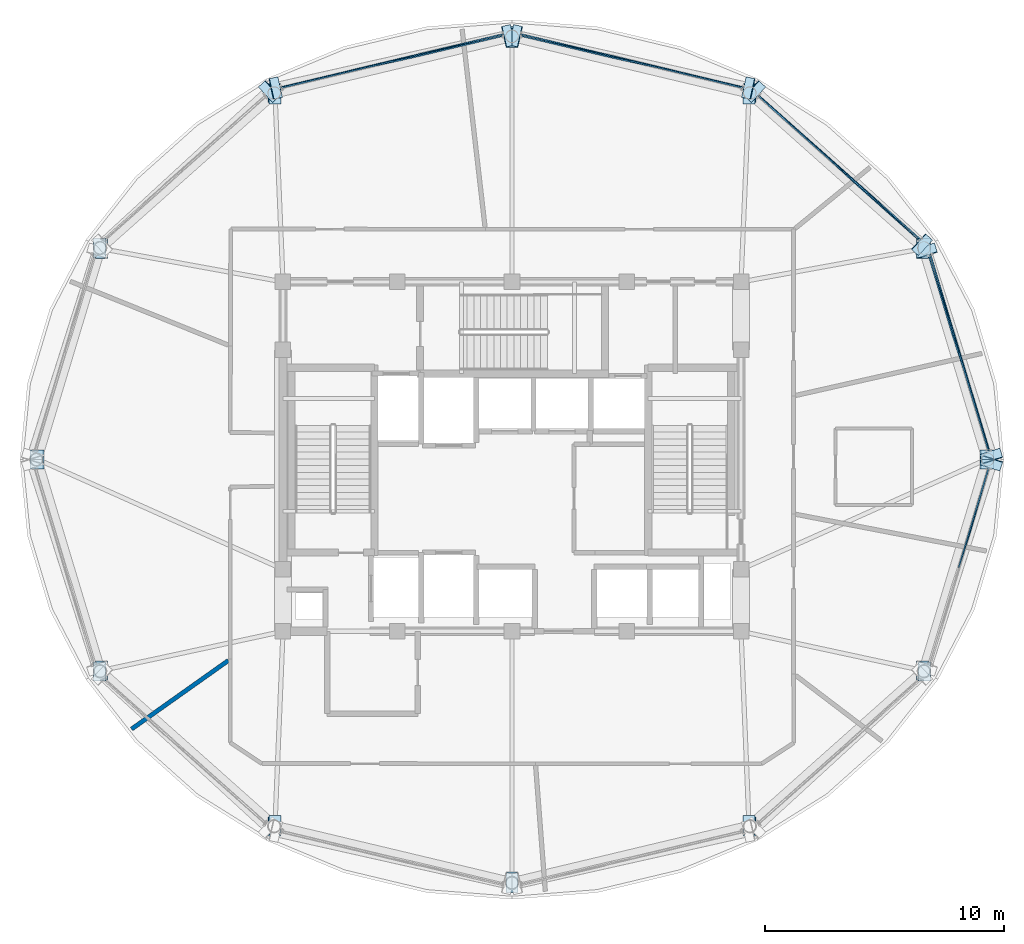
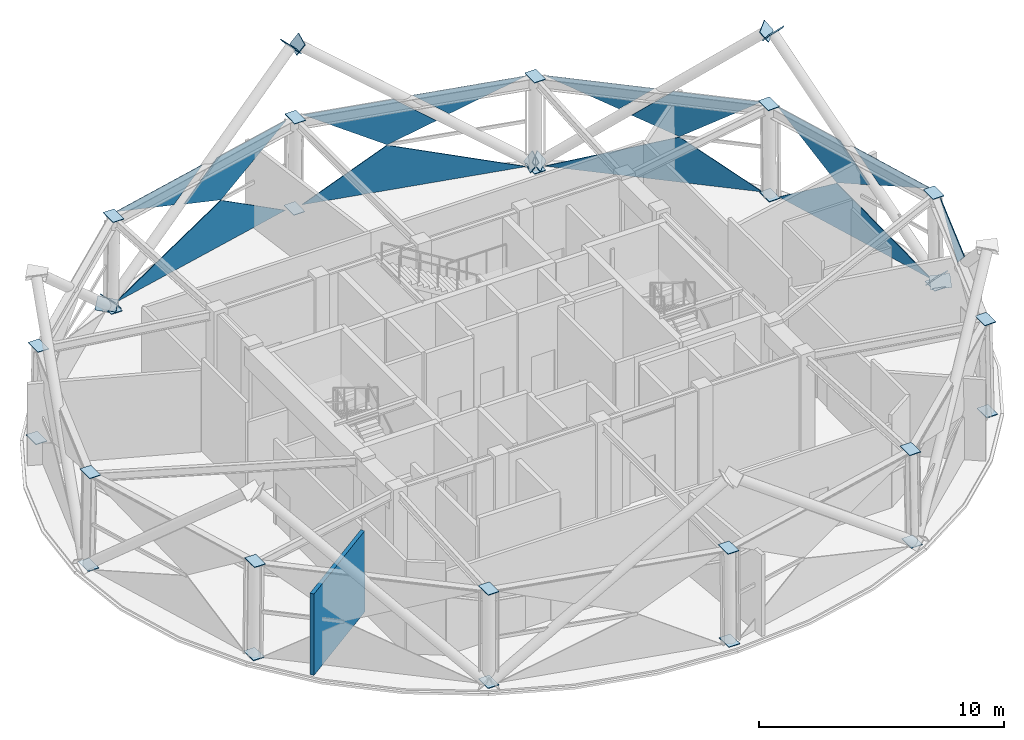
# One storey, part 7 of 14: 47 plates, 1 wall, 5 elements without a shape of their own.
"""IFC4 building model written with IfcOpenShell, lengths in metres."""

from ifc_helpers import new_model, si_unit, direction, frame, frame_2d, origin, place, context, subcontext, project, spatial, polyline, rectangle, outline, extrude, material, layer, layer_set, type_object, element, aggregate, save


model = new_model("IFC4")

# Units and contexts
model_context = context("Model", 3, precision=1e-05, world=origin(), true_north=direction((0.0, 1.0)))
body_context = subcontext(model_context, "Body", "Model", "MODEL_VIEW")
ifc_project = project(units=[si_unit("LENGTHUNIT", "METRE"), si_unit("AREAUNIT", "SQUARE_METRE"), si_unit("VOLUMEUNIT", "CUBIC_METRE"), si_unit("PLANEANGLEUNIT", "RADIAN"), si_unit("MASSUNIT", "GRAM", prefix="KILO")], contexts=[model_context])

# Site, building, storey
site_placement = place(None, origin())
site = spatial("IfcSite", under=ifc_project, at=site_placement, CompositionType="ELEMENT")
building_placement = place(site_placement, origin())
building = spatial("IfcBuilding", under=site, at=building_placement, Name="Vantalir Tower", CompositionType="ELEMENT")
storey_placement = place(building_placement, frame((0.0, 0.0, 259.050048828125)))
storey = spatial("IfcBuildingStorey", under=building, at=storey_placement, Name="L65", CompositionType="ELEMENT", Elevation=259.050048828125)

# Curtain wall, plates
ifc_material_1 = material(Name="Champagne-silver PVDF aluminium and double-silver Low-E glass", Category="aluminium")
ifc_layer_1 = layer(ifc_material_1, 0.22998046875)
ifc_layer_set_1 = layer_set([ifc_layer_1], Name="Champagne-silver PVDF aluminium and double-silver Low-E glass")
curtain_wall_type = type_object("IfcCurtainWallType", Name="CW-SKYLOBBY", PredefinedType="USERDEFINED", material=ifc_layer_set_1)
curtain_wall_1_placement = place(storey_placement, origin())
curtain_wall_1 = element("IfcCurtainWall", 1, at=curtain_wall_1_placement, inside=storey, type_object=curtain_wall_type, Name="L65 Quilted Pyramid-Diamond Curtain Wall S01", ObjectType="UNITISED CURTAIN WALL", PredefinedType="USERDEFINED")
ifc_material_2 = material(Name="High-clarity sky-lobby Low-E glass IGU", Category="glass")
ifc_layer_2 = layer(ifc_material_2, 0.035888671875)
ifc_layer_set_2 = layer_set([ifc_layer_2], Name="High-clarity sky-lobby Low-E glass IGU")
plate_type_1 = type_object("IfcPlateType", Name="CWP-IGU-LIGHT-36", PredefinedType="CURTAIN_PANEL", material=ifc_layer_set_2)
plate_1_placement = place(storey_placement, frame((51.5234375, 25.3876953125, 0.04736328125), z_axis=(0.957619347428, 0.28796425822, 0.006463081274), x_axis=(-0.287970625363, 0.95763924088, 5.7046479e-05)))
plate_1 = element("IfcPlate", 2, at=plate_1_placement, type_object=plate_type_1, Name="CW-L65-S01 Pyramid Diamond Facet 1L", PredefinedType="CURTAIN_PANEL", context=body_context, shape_type="SweptSolid", body=[
    extrude(outline(polyline([(0.0, 0.0), (8.559358257097664, 5.095750210681871e-18), (5.303938225160693, 2.2487678377621427), (0.0, 0.0)])), origin(), (0.0, 0.0, -1.0), 0.035888671875),
])
plate_2_placement = place(storey_placement, frame((49.9833984375, 30.2412109375, 4.572265625), z_axis=(0.95724843419, 0.287944547348, 0.027629203627), x_axis=(-0.288052609899, 0.957614582572, -7.194278e-05)))
plate_2 = element("IfcPlate", 3, at=plate_2_placement, type_object=plate_type_1, Name="CW-L65-S01 Pyramid Diamond Facet 2U", PredefinedType="CURTAIN_PANEL", context=body_context, shape_type="SweptSolid", body=[
    extrude(outline(polyline([(0.0, 0.0), (3.453460336960957, 7.860465750519907e-19), (0.21270395206741882, -2.24937858078949), (-1.654140182109328, -1.4542917888111961), (0.0, 0.0)])), origin(), (0.0, 0.0, -1.0), 0.035888671875),
])
plate_3_placement = place(storey_placement, frame((51.481689453125, 25.399169921875, 4.57373046875), z_axis=(0.957260632228, 0.287906831872, 0.027599604115), x_axis=(-0.2880150466, 0.95762588191, -5.6818908e-05)))
plate_3 = element("IfcPlate", 4, at=plate_3_placement, type_object=plate_type_1, Name="CW-L65-S01 Pyramid Diamond Facet 2U Infill Light", PredefinedType="CURTAIN_PANEL", context=body_context, shape_type="SweptSolid", body=[
    extrude(outline(polyline([(0.0, 0.0), (4.296820054136441, -4.6349642873755315e-18), (2.894408183389131, -1.2329712505829111), (0.0, 0.0)])), origin(), (0.0, 0.0, -1.0), 0.035888671875),
])
aggregate(curtain_wall_1, [plate_1, plate_2, plate_3])

curtain_wall_2_placement = place(storey_placement, origin())
curtain_wall_2 = element("IfcCurtainWall", 5, at=curtain_wall_2_placement, inside=storey, type_object=curtain_wall_type, Name="L65 Quilted Pyramid-Diamond Curtain Wall S02", ObjectType="UNITISED CURTAIN WALL", PredefinedType="USERDEFINED")
plate_4_placement = place(storey_placement, frame((48.639892578125, 34.2412109375, 0.047607421875), z_axis=(0.665209640255, 0.746634118545, 0.005798925432), x_axis=(-0.746646463699, 0.665221057502, -5.3870596e-05)))
plate_4 = element("IfcPlate", 6, at=plate_4_placement, type_object=plate_type_1, Name="CW-L65-S02 Pyramid Diamond Facet 1L", PredefinedType="CURTAIN_PANEL", context=body_context, shape_type="SweptSolid", body=[
    extrude(outline(polyline([(0.0, 0.0), (9.063965951806155, -3.903127820947816e-18), (3.449700283416027, 2.2490029520814323), (0.0, 0.0)])), origin(), (0.0, 0.0, -1.0), 0.035888671875),
])
plate_5_placement = place(storey_placement, frame((48.56982421875, 34.205322265625, 4.572265625), z_axis=(0.665038685009, 0.74633558686, 0.026584567482), x_axis=(-0.746600637264, 0.665272488526, 6.6688574e-05)))
plate_5 = element("IfcPlate", 7, at=plate_5_placement, type_object=plate_type_1, Name="CW-L65-S02 Pyramid Diamond Facet 2U", PredefinedType="CURTAIN_PANEL", context=body_context, shape_type="SweptSolid", body=[
    extrude(outline(polyline([(0.0, 0.0), (3.67091296956547, -1.9678269430611905e-17), (5.40729756169425, -1.4525341365943436), (3.421253069162723, -2.2498019452031675), (0.0, 0.0)])), origin(), (0.0, 0.0, -1.0), 0.035888671875),
])
plate_6_placement = place(storey_placement, frame((45.26220703125, 37.2060546875, 4.573486328125), z_axis=(0.665022021391, 0.746347339736, 0.026671324177), x_axis=(-0.74661389168, 0.665257614674, 5.3559103e-05)))
plate_6 = element("IfcPlate", 8, at=plate_6_placement, type_object=plate_type_1, Name="CW-L65-S02 Pyramid Diamond Facet 2U Infill Light", PredefinedType="CURTAIN_PANEL", context=body_context, shape_type="SweptSolid", body=[
    extrude(outline(polyline([(0.0, 0.0), (4.558340462755188, 1.826880660638075e-17), (1.4785731315412094, -1.2366030901460339), (0.0, 0.0)])), origin(), (0.0, 0.0, -1.0), 0.035888671875),
])
aggregate(curtain_wall_2, [plate_4, plate_5, plate_6])

curtain_wall_3_placement = place(storey_placement, origin())
curtain_wall_3 = element("IfcCurtainWall", 9, at=curtain_wall_3_placement, inside=storey, type_object=curtain_wall_type, Name="L65 Quilted Pyramid-Diamond Curtain Wall S03", ObjectType="UNITISED CURTAIN WALL", PredefinedType="USERDEFINED")
plate_7_placement = place(storey_placement, frame((41.17626953125, 40.634033203125, 0.047119140625), z_axis=(0.232208272783, 0.972654078748, 0.004833337066), x_axis=(-0.972665496256, 0.232210744313, 5.1164646e-05)))
plate_7 = element("IfcPlate", 10, at=plate_7_placement, type_object=plate_type_1, Name="CW-L65-S03 Pyramid Diamond Facet 1L", PredefinedType="CURTAIN_PANEL", context=body_context, shape_type="SweptSolid", body=[
    extrude(outline(polyline([(0.0, 0.0), (9.543332974029395, -3.7947076036992655e-19), (5.913377118243143, 2.2492354383627027), (0.0, 0.0)])), origin(), (0.0, 0.0, -1.0), 0.035888671875),
])
plate_8_placement = place(storey_placement, frame((35.662841796875, 41.87841796875, 4.572509765625), z_axis=(0.232072840092, 0.972350631356, 0.026008586904), x_axis=(-0.972679666256, 0.232151387786, -6.08885e-07)))
plate_8 = element("IfcPlate", 11, at=plate_8_placement, type_object=plate_type_1, Name="CW-L65-S03 Pyramid Diamond Facet 2U", PredefinedType="CURTAIN_PANEL", context=body_context, shape_type="SweptSolid", body=[
    extrude(outline(polyline([(0.0, 0.0), (3.8749283573383124, 6.938893903907228e-18), (0.2617034690342525, -2.250028559594019), (-1.8255058616383, -1.4523990860917348), (0.0, 0.0)])), origin(), (0.0, 0.0, -1.0), 0.035888671875),
])
plate_9_placement = place(storey_placement, frame((41.1455078125, 40.61083984375, 4.57373046875), z_axis=(0.232120970754, 0.97233967106, 0.025988824886), x_axis=(-0.972668205847, 0.232199399945, 0.0)))
plate_9 = element("IfcPlate", 12, at=plate_9_placement, type_object=plate_type_1, Name="CW-L65-S03 Pyramid Diamond Facet 2U Infill Light", PredefinedType="CURTAIN_PANEL", context=body_context, shape_type="SweptSolid", body=[
    extrude(outline(polyline([(0.0, 0.0), (4.808173829870431, 3.469446951953614e-18), (3.2483732604274036, -1.2411418724615468), (0.0, 0.0)])), origin(), (0.0, 0.0, -1.0), 0.035888671875),
])
aggregate(curtain_wall_3, [plate_7, plate_8, plate_9])

curtain_wall_4_placement = place(storey_placement, origin())
curtain_wall_4 = element("IfcCurtainWall", 13, at=curtain_wall_4_placement, inside=storey, type_object=curtain_wall_type, Name="L65 Quilted Pyramid-Diamond Curtain Wall S04", ObjectType="UNITISED CURTAIN WALL", PredefinedType="USERDEFINED")
plate_10_placement = place(storey_placement, frame((31.106201171875, 42.85009765625, 0.047607421875), z_axis=(-0.232208272783, 0.972654078748, 0.004833337066), x_axis=(-0.972665496256, -0.232210744313, -5.1164646e-05)))
plate_10 = element("IfcPlate", 14, at=plate_10_placement, type_object=plate_type_1, Name="CW-L65-S04 Pyramid Diamond Facet 1L", PredefinedType="CURTAIN_PANEL", context=body_context, shape_type="SweptSolid", body=[
    extrude(outline(polyline([(0.0, 0.0), (9.543332974029395, 3.7947076036992655e-19), (3.6299558557862515, 2.2492354383627022), (0.0, 0.0)])), origin(), (0.0, 0.0, -1.0), 0.035888671875),
])
plate_11_placement = place(storey_placement, frame((31.106201171875, 42.778076171875, 4.572509765625), z_axis=(-0.232072840092, 0.972350631356, 0.026008586904), x_axis=(-0.972679666256, -0.232151387786, 6.08885e-07)))
plate_11 = element("IfcPlate", 15, at=plate_11_placement, type_object=plate_type_1, Name="CW-L65-S04 Pyramid Diamond Facet 2U", PredefinedType="CURTAIN_PANEL", context=body_context, shape_type="SweptSolid", body=[
    extrude(outline(polyline([(0.0, 0.0), (3.8749283573383124, -6.938893903907228e-18), (5.700434218976612, -1.4523990860917348), (3.6132248883040603, -2.250028559594019), (0.0, 0.0)])), origin(), (0.0, 0.0, -1.0), 0.035888671875),
])
plate_12_placement = place(storey_placement, frame((26.53125, 41.727294921875, 4.57373046875), z_axis=(-0.232120970754, 0.97233967106, 0.025988824886), x_axis=(-0.972668205847, -0.232199399945, 0.0)))
plate_12 = element("IfcPlate", 16, at=plate_12_placement, type_object=plate_type_1, Name="CW-L65-S04 Pyramid Diamond Facet 2U Infill Light", PredefinedType="CURTAIN_PANEL", context=body_context, shape_type="SweptSolid", body=[
    extrude(outline(polyline([(0.0, 0.0), (4.808173829870431, -3.469446951953614e-18), (1.559800569443027, -1.2411418724615468), (0.0, 0.0)])), origin(), (0.0, 0.0, -1.0), 0.035888671875),
])
aggregate(curtain_wall_4, [plate_10, plate_11, plate_12])

# Curtain wall, plate
curtain_wall_5_placement = place(storey_placement, origin())
curtain_wall_5 = element("IfcCurtainWall", 17, at=curtain_wall_5_placement, inside=storey, type_object=curtain_wall_type, Name="L65 Quilted Pyramid-Diamond Curtain Wall S12", ObjectType="UNITISED CURTAIN WALL", PredefinedType="USERDEFINED")
plate_13_placement = place(storey_placement, frame((50.243896484375, 20.485595703125, 4.573486328125), z_axis=(0.95725153181, -0.287926730762, 0.027707445917), x_axis=(0.28803580704, 0.957619637766, 5.6811796e-05)))
plate_13 = element("IfcPlate", 18, at=plate_13_placement, type_object=plate_type_1, Name="CW-L65-S12 Pyramid Diamond Facet 2U Infill Light", PredefinedType="CURTAIN_PANEL", context=body_context, shape_type="SweptSolid", body=[
    extrude(outline(polyline([(0.0, 0.0), (4.297357962082427, 4.038653092508504e-18), (1.4027167320130423, -1.2329749377245482), (0.0, 0.0)])), origin(), (0.0, 0.0, -1.0), 0.035888671875),
])
aggregate(curtain_wall_5, [plate_13])

# Plates
ifc_material_3 = material(Name="Steel S460", Category="steel")
ifc_layer_3 = layer(ifc_material_3, 0.035888671875)
ifc_layer_set_3 = layer_set([ifc_layer_3], Name="Steel S460")
plate_type_2 = type_object("IfcPlateType", Name="PLT-KN-Z2", PredefinedType="USERDEFINED", material=ifc_layer_set_3)
plate_14_placement = place(storey_placement, frame((51.948974609375, 25.479248046875, 0.0126953125), z_axis=(-0.228148290052, 0.715593883274, 0.660207355281), x_axis=(-0.952743342445, -0.303776435871, 2.0894882e-05)))
element("IfcPlate", 19, at=plate_14_placement, inside=storey, type_object=plate_type_2, Name="Node Cap Plate MEM-DG-L65-R01L Start", ObjectType="FLANGE_PLATE", PredefinedType="USERDEFINED", context=body_context, shape_type="SweptSolid", body=[
    extrude(outline(polyline([(0.0, 0.0), (0.8799696863364834, 0.0), (0.8800608583720017, 0.5798670245278725), (-0.00014143131957086174, 0.5799159919081394), (0.0, 0.0)])), origin(), (0.0, 0.0, -1.0), 0.035888671875),
])
plate_15_placement = place(storey_placement, frame((49.207763671875, 34.07861328125, 7.9453125), z_axis=(-0.228224535934, 0.715728818629, 0.66003471074), x_axis=(-0.952736121309, -0.303799083528, 0.0)))
element("IfcPlate", 20, at=plate_15_placement, inside=storey, type_object=plate_type_2, Name="Node Cap Plate MEM-DG-L65-R01L End", ObjectType="FLANGE_PLATE", PredefinedType="USERDEFINED", context=body_context, shape_type="SweptSolid", body=[
    extrude(outline(polyline([(0.0, 0.0), (0.8799696867771974, 2.7755575615628914e-17), (0.8798282563391254, 0.5800993771966007), (-0.0001414304380720568, 0.5800993771966007), (0.0, 0.0)])), origin(), (0.0, 0.0, -1.0), 0.035888671875),
])
plate_16_placement = place(storey_placement, frame((51.110595703125, 24.7880859375, 0.0126953125), z_axis=(-0.228148290052, -0.715593883274, 0.660207355281), x_axis=(0.952743342445, -0.303776435871, -2.0894882e-05)))
element("IfcPlate", 21, at=plate_16_placement, inside=storey, type_object=plate_type_2, Name="Node Cap Plate MEM-DG-L65-R01R Start", ObjectType="FLANGE_PLATE", PredefinedType="USERDEFINED", context=body_context, shape_type="SweptSolid", body=[
    extrude(outline(polyline([(0.0, 0.0), (0.8799696863364834, 0.0), (0.8801111176560543, 0.5799159919081394), (-9.117203551817767e-05, 0.5798670245278725), (0.0, 0.0)])), origin(), (0.0, 0.0, -1.0), 0.035888671875),
])
plate_17_placement = place(storey_placement, frame((41.316162109375, 41.0478515625, -0.005126953125), z_axis=(-0.763539368306, 0.171508700871, 0.622569191795), x_axis=(-0.219162310828, -0.975688414153, 0.0)))
element("IfcPlate", 22, at=plate_17_placement, inside=storey, type_object=plate_type_2, Name="Node Cap Plate MEM-DG-L65-R07L Start", ObjectType="FLANGE_PLATE", PredefinedType="USERDEFINED", context=body_context, shape_type="SweptSolid", body=[
    extrude(outline(polyline([(0.0, 0.0), (0.8800376899732579, 1.3877787807814457e-17), (0.8800063988749334, 0.5799614880151464), (-3.129109832450405e-05, 0.5799614880151464), (0.0, 0.0)])), origin(), (0.0, 0.0, -1.0), 0.035888671875),
])
plate_18_placement = place(storey_placement, frame((31.56689453125, 43.237060546875, 7.943359375), z_axis=(-0.76369848389, 0.171544441932, 0.622364145935), x_axis=(-0.219162310828, -0.975688414153, 0.0)))
element("IfcPlate", 23, at=plate_18_placement, inside=storey, type_object=plate_type_2, Name="Node Cap Plate MEM-DG-L65-R07L End", ObjectType="FLANGE_PLATE", PredefinedType="USERDEFINED", context=body_context, shape_type="SweptSolid", body=[
    extrude(outline(polyline([(0.0, 0.0), (0.8800376899732579, 0.0), (0.8800063988749334, 0.5801525637749628), (-3.129109832450405e-05, 0.5801525637749628), (0.0, 0.0)])), origin(), (0.0, 0.0, -1.0), 0.035888671875),
])
plate_19_placement = place(storey_placement, frame((41.538330078125, 39.9716796875, 0.003662109375), z_axis=(0.565133053994, -0.518845560398, 0.641423351413), x_axis=(0.676267543185, 0.736656098803, 4.615424e-05)))
element("IfcPlate", 24, at=plate_19_placement, inside=storey, type_object=plate_type_2, Name="Node Cap Plate MEM-DG-L65-R07R Start", ObjectType="FLANGE_PLATE", PredefinedType="USERDEFINED", context=body_context, shape_type="SweptSolid", body=[
    extrude(outline(polyline([(0.0, 0.0), (0.8801999191179147, -5.551115123125783e-17), (0.8800513522112454, 0.5800771777413594), (3.1280773702654094e-05, 0.5801830731785458), (0.0, 0.0)])), origin(), (0.0, 0.0, -1.0), 0.035888671875),
])
plate_20_placement = place(storey_placement, frame((48.533935546875, 33.549560546875, 7.9443359375), z_axis=(0.565114667659, -0.518722275436, 0.641539253174), x_axis=(0.67622324085, 0.736696768364, -4.127611e-06)))
element("IfcPlate", 25, at=plate_20_placement, inside=storey, type_object=plate_type_2, Name="Node Cap Plate MEM-DG-L65-R07R End", ObjectType="FLANGE_PLATE", PredefinedType="USERDEFINED", context=body_context, shape_type="SweptSolid", body=[
    extrude(outline(polyline([(0.0, 0.0), (0.8801999213783855, -5.551115123125783e-17), (0.8800513499511564, 0.5798898836711701), (0.00019637974689532377, 0.5798804130490947), (0.0, 0.0)])), origin(), (0.0, 0.0, -1.0), 0.035888671875),
])
plate_21_placement = place(storey_placement, frame((20.866455078125, 40.6201171875, 0.003662109375), z_axis=(-0.565133053994, -0.518845560398, 0.641423351413), x_axis=(0.676267543185, -0.736656098803, -4.615424e-05)))
element("IfcPlate", 26, at=plate_21_placement, inside=storey, type_object=plate_type_2, Name="Node Cap Plate MEM-DG-L65-R13L Start", ObjectType="FLANGE_PLATE", PredefinedType="USERDEFINED", context=body_context, shape_type="SweptSolid", body=[
    extrude(outline(polyline([(0.0, 0.0), (0.8801999191179147, 5.551115123125783e-17), (0.8801686383442121, 0.5801830731785458), (0.00014856690666928212, 0.5800771777413595), (0.0, 0.0)])), origin(), (0.0, 0.0, -1.0), 0.035888671875),
])
plate_22_placement = place(storey_placement, frame((21.876708984375, 40.189208984375, -0.005126953125), z_axis=(0.763539368306, 0.171508700871, 0.622569191795), x_axis=(-0.219162310828, 0.975688414153, 0.0)))
element("IfcPlate", 27, at=plate_22_placement, inside=storey, type_object=plate_type_2, Name="Node Cap Plate MEM-DG-L65-R13R Start", ObjectType="FLANGE_PLATE", PredefinedType="USERDEFINED", context=body_context, shape_type="SweptSolid", body=[
    extrude(outline(polyline([(0.0, 0.0), (0.8800376899732579, -1.3877787807814457e-17), (0.8800689810715825, 0.5799614880151462), (3.129109832450405e-05, 0.5799614880151464), (0.0, 0.0)])), origin(), (0.0, 0.0, -1.0), 0.035888671875),
])
plate_23_placement = place(storey_placement, frame((31.6259765625, 42.37841796875, 7.943359375), z_axis=(0.76369848389, 0.171544441932, 0.622364145935), x_axis=(-0.219162310828, 0.975688414153, 0.0)))
element("IfcPlate", 28, at=plate_23_placement, inside=storey, type_object=plate_type_2, Name="Node Cap Plate MEM-DG-L65-R13R End", ObjectType="FLANGE_PLATE", PredefinedType="USERDEFINED", context=body_context, shape_type="SweptSolid", body=[
    extrude(outline(polyline([(0.0, 0.0), (0.8800376899732579, 0.0), (0.8800689810715825, 0.5801525637749628), (3.129109832450405e-05, 0.5801525637749628), (0.0, 0.0)])), origin(), (0.0, 0.0, -1.0), 0.035888671875),
])
ifc_layer_4 = layer(ifc_material_3, 0.031982421875)
ifc_layer_set_4 = layer_set([ifc_layer_4], Name="Steel S460")
plate_type_3 = type_object("IfcPlateType", Name="PLT-KN-Z3", PredefinedType="USERDEFINED", material=ifc_layer_set_4)
plate_24_placement = place(storey_placement, frame((51.109619140625, 25.39990234375, 4.639404296875), z_axis=(-0.017368271797, 0.0, 0.999849160191), x_axis=(0.0, -1.0, 0.0)))
element("IfcPlate", 29, at=plate_24_placement, inside=storey, type_object=plate_type_3, Name="L65 Ring Column Top Cap RC01", ObjectType="FLANGE_PLATE", PredefinedType="USERDEFINED", context=body_context, shape_type="SweptSolid", body=[
    extrude(outline(polyline([(0.0, 0.0), (0.7998046875, 0.0), (0.7998046875, 0.5200979827303382), (0.0, 0.5200979827303382), (0.0, 0.0)])), origin(), (0.0, 0.0, -1.0), 0.031982421875),
])
plate_25_placement = place(storey_placement, frame((51.189208984375, 25.39990234375, 0.04833984375), z_axis=(-0.017376427282, 0.0, 0.99984901849), x_axis=(0.0, -1.0, 0.0)))
element("IfcPlate", 30, at=plate_25_placement, inside=storey, type_object=plate_type_3, Name="L65 Ring Column Base Cap RC01", ObjectType="FLANGE_PLATE", PredefinedType="USERDEFINED", context=body_context, shape_type="SweptSolid", body=[
    extrude(outline(polyline([(0.0, 0.0), (0.7998046875, 0.0), (0.7998046875, 0.519853878948757), (0.0, 0.519853878948757), (0.0, 0.0)])), origin(), (0.0, 0.0, -1.0), 0.031982421875),
])
plate_26_placement = place(storey_placement, frame((48.44775390625, 34.24072265625, 4.64306640625), z_axis=(-0.015030187153, -0.007629009124, 0.999857935756), x_axis=(-1.75e-08, -0.999970892109, -0.007629871254)))
element("IfcPlate", 31, at=plate_26_placement, inside=storey, type_object=plate_type_3, Name="L65 Ring Column Top Cap RC02", ObjectType="FLANGE_PLATE", PredefinedType="USERDEFINED", context=body_context, shape_type="SweptSolid", body=[
    extrude(outline(polyline([(0.0, 0.0), (0.7998279759105017, -1.3552527156068805e-20), (0.8000124919636732, 0.519834124902574), (-5.96174654097399e-05, 0.5198340969006475), (0.0, 0.0)])), origin(), (0.0, 0.0, -1.0), 0.031982421875),
])
plate_27_placement = place(storey_placement, frame((48.516357421875, 34.276611328125, 0.05224609375), z_axis=(-0.015028360327, -0.007932940356, 0.999855597996), x_axis=(0.0, -0.999968526625, -0.007933836342)))
element("IfcPlate", 32, at=plate_27_placement, inside=storey, type_object=plate_type_3, Name="L65 Ring Column Base Cap RC02", ObjectType="FLANGE_PLATE", PredefinedType="USERDEFINED", context=body_context, shape_type="SweptSolid", body=[
    extrude(outline(polyline([(0.0, 0.0), (0.8000740091541869, 0.0), (0.8000120260577662, 0.5198340966247954), (-6.198309642073128e-05, 0.5198340966247954), (0.0, 0.0)])), origin(), (0.0, 0.0, -1.0), 0.031982421875),
])
plate_28_placement = place(storey_placement, frame((41.1748046875, 40.712646484375, 4.64697265625), z_axis=(-0.008922180489, -0.013427218656, 0.999870043803), x_axis=(-1.8283e-08, -0.999909843657, -0.01342775329)))
element("IfcPlate", 33, at=plate_28_placement, inside=storey, type_object=plate_type_3, Name="L65 Ring Column Top Cap RC03", ObjectType="FLANGE_PLATE", PredefinedType="USERDEFINED", context=body_context, shape_type="SweptSolid", body=[
    extrude(outline(polyline([(0.0, 0.0), (0.7998768234775723, 0.0), (0.800058645642773, 0.5200402452703946), (-6.229644897338005e-05, 0.5200402160167035), (0.0, 0.0)])), origin(), (0.0, 0.0, -1.0), 0.031982421875),
])
plate_29_placement = place(storey_placement, frame((41.214599609375, 40.774169921875, 0.05615234375), z_axis=(-0.008449640455, -0.013429322742, 0.999874120511), x_axis=(0.0, -0.99990981614, -0.01342980217)))
element("IfcPlate", 34, at=plate_29_placement, inside=storey, type_object=plate_type_3, Name="L65 Ring Column Base Cap RC03", ObjectType="FLANGE_PLATE", PredefinedType="USERDEFINED", context=body_context, shape_type="SweptSolid", body=[
    extrude(outline(polyline([(0.0, 0.0), (0.7998768234792516, -1.3552527156068805e-20), (0.7998178057939325, 0.5200380960115228), (-5.9017685319062005e-05, 0.5200380960115228), (0.0, 0.0)])), origin(), (0.0, 0.0, -1.0), 0.031982421875),
])
for number, where, z_axis, x_axis, name in (
    (35, (31.239990234375, 43.08154296875, 4.650146484375), (0.0, -0.015565879445, 0.999878844359), (0.0, -0.999878844359, -0.015565879445), "L65 Ring Column Top Cap RC04"),
    (36, (31.239990234375, 43.153076171875, 0.05908203125), (0.0, -0.015565879445, 0.999878844359), (0.0, -0.999878844359, -0.015565879445), "L65 Ring Column Base Cap RC04"),
):
    element("IfcPlate", number, at=place(storey_placement, frame(where, z_axis=z_axis, x_axis=x_axis)), inside=storey, type_object=plate_type_3, Name=name, ObjectType="FLANGE_PLATE", PredefinedType="USERDEFINED", context=body_context, shape_type="SweptSolid", body=[
        extrude(outline(polyline([(0.0, 0.0), (0.7999016000909321, 0.0), (0.7999016000909321, 0.52001953125), (0.0, 0.52001953125), (0.0, 0.0)])), origin(), (0.0, 0.0, -1.0), 0.031982421875),
    ])
plate_30_placement = place(storey_placement, frame((21.30517578125, 40.712646484375, 4.651611328125), z_axis=(0.008922180489, -0.013427218656, 0.999870043803), x_axis=(-1.8277e-08, -0.999909843661, -0.013427752964)))
element("IfcPlate", 37, at=plate_30_placement, inside=storey, type_object=plate_type_3, Name="L65 Ring Column Top Cap RC05", ObjectType="FLANGE_PLATE", PredefinedType="USERDEFINED", context=body_context, shape_type="SweptSolid", body=[
    extrude(outline(polyline([(0.0, 0.0), (0.8001209420917468, 1.3552527156068805e-20), (0.7999391009130496, 0.5200402452637466), (6.227743547797237e-05, 0.5200402160189808), (0.0, 0.0)])), origin(), (0.0, 0.0, -1.0), 0.031982421875),
])
plate_31_placement = place(storey_placement, frame((21.265380859375, 40.774169921875, 0.060546875), z_axis=(0.008449640455, -0.013429322742, 0.999874120511), x_axis=(0.0, -0.99990981614, -0.01342980217)))
element("IfcPlate", 38, at=plate_31_placement, inside=storey, type_object=plate_type_3, Name="L65 Ring Column Base Cap RC05", ObjectType="FLANGE_PLATE", PredefinedType="USERDEFINED", context=body_context, shape_type="SweptSolid", body=[
    extrude(outline(polyline([(0.0, 0.0), (0.7998768234792516, 1.3552527156068805e-20), (0.7999358411645706, 0.5200380960115228), (5.9017685319062005e-05, 0.5200380960115228), (0.0, 0.0)])), origin(), (0.0, 0.0, -1.0), 0.031982421875),
])
plate_32_placement = place(storey_placement, frame((14.032470703125, 34.24072265625, 4.65087890625), z_axis=(0.015030187153, -0.007629009124, 0.999857935756), x_axis=(-1.7495e-08, -0.999970892113, -0.007629870728)))
element("IfcPlate", 39, at=plate_32_placement, inside=storey, type_object=plate_type_3, Name="L65 Ring Column Top Cap RC06", ObjectType="FLANGE_PLATE", PredefinedType="USERDEFINED", context=body_context, shape_type="SweptSolid", body=[
    extrude(outline(polyline([(0.0, 0.0), (0.8000721094290834, -1.3552527156068805e-20), (0.7998875751821057, 0.5198341248961158), (5.959927160448651e-05, 0.5198340969027339), (0.0, 0.0)])), origin(), (0.0, 0.0, -1.0), 0.031982421875),
])
plate_33_placement = place(storey_placement, frame((13.9638671875, 34.276611328125, 0.06005859375), z_axis=(0.015028360327, -0.007932940356, 0.999855597996), x_axis=(0.0, -0.999968526625, -0.007933836342)))
element("IfcPlate", 40, at=plate_33_placement, inside=storey, type_object=plate_type_3, Name="L65 Ring Column Base Cap RC06", ObjectType="FLANGE_PLATE", PredefinedType="USERDEFINED", context=body_context, shape_type="SweptSolid", body=[
    extrude(outline(polyline([(0.0, 0.0), (0.8000740091541869, 0.0), (0.8001359922506077, 0.5198340966247954), (6.198309642073128e-05, 0.5198340966247954), (0.0, 0.0)])), origin(), (0.0, 0.0, -1.0), 0.031982421875),
])
plate_34_placement = place(storey_placement, frame((11.370361328125, 25.39990234375, 4.6484375), z_axis=(0.017368271797, 0.0, 0.999849160191), x_axis=(0.0, -1.0, 0.0)))
element("IfcPlate", 41, at=plate_34_placement, inside=storey, type_object=plate_type_3, Name="L65 Ring Column Top Cap RC07", ObjectType="FLANGE_PLATE", PredefinedType="USERDEFINED", context=body_context, shape_type="SweptSolid", body=[
    extrude(outline(polyline([(0.0, 0.0), (0.7998046875, 0.0), (0.7998046875, 0.5200979827303382), (0.0, 0.5200979827303382), (0.0, 0.0)])), origin(), (0.0, 0.0, -1.0), 0.031982421875),
])
plate_35_placement = place(storey_placement, frame((11.291015625, 25.39990234375, 0.057373046875), z_axis=(0.017376427282, 0.0, 0.99984901849), x_axis=(0.0, -1.0, 0.0)))
element("IfcPlate", 42, at=plate_35_placement, inside=storey, type_object=plate_type_3, Name="L65 Ring Column Base Cap RC07", ObjectType="FLANGE_PLATE", PredefinedType="USERDEFINED", context=body_context, shape_type="SweptSolid", body=[
    extrude(outline(polyline([(0.0, 0.0), (0.7998046875, 0.0), (0.7998046875, 0.519853878948757), (0.0, 0.519853878948757), (0.0, 0.0)])), origin(), (0.0, 0.0, -1.0), 0.031982421875),
])
plate_36_placement = place(storey_placement, frame((14.032470703125, 16.559326171875, 4.644775390625), z_axis=(0.015030187153, 0.007629009124, 0.999857935756), x_axis=(1.7495e-08, -0.999970892113, 0.007629870728)))
element("IfcPlate", 43, at=plate_36_placement, inside=storey, type_object=plate_type_3, Name="L65 Ring Column Top Cap RC08", ObjectType="FLANGE_PLATE", PredefinedType="USERDEFINED", context=body_context, shape_type="SweptSolid", body=[
    extrude(outline(polyline([(0.0, 0.0), (0.8000721094290834, 1.3552527156068805e-20), (0.8000125101574789, 0.5198340969027339), (0.0001845342469777157, 0.5198341248961158), (0.0, 0.0)])), origin(), (0.0, 0.0, -1.0), 0.031982421875),
])
plate_37_placement = place(storey_placement, frame((13.9638671875, 16.5234375, 0.0537109375), z_axis=(0.015028360327, 0.007932940356, 0.999855597996), x_axis=(0.0, -0.999968526625, 0.007933836342)))
element("IfcPlate", 44, at=plate_37_placement, inside=storey, type_object=plate_type_3, Name="L65 Ring Column Base Cap RC08", ObjectType="FLANGE_PLATE", PredefinedType="USERDEFINED", context=body_context, shape_type="SweptSolid", body=[
    extrude(outline(polyline([(0.0, 0.0), (0.8000740091541869, 0.0), (0.8000120260577662, 0.5198340966247954), (-6.198309642073128e-05, 0.5198340966247954), (0.0, 0.0)])), origin(), (0.0, 0.0, -1.0), 0.031982421875),
])
plate_38_placement = place(storey_placement, frame((21.30517578125, 10.08740234375, 4.640869140625), z_axis=(0.008922180489, 0.013427218656, 0.999870043803), x_axis=(1.8277e-08, -0.999909843661, 0.013427752964)))
element("IfcPlate", 45, at=plate_38_placement, inside=storey, type_object=plate_type_3, Name="L65 Ring Column Top Cap RC09", ObjectType="FLANGE_PLATE", PredefinedType="USERDEFINED", context=body_context, shape_type="SweptSolid", body=[
    extrude(outline(polyline([(0.0, 0.0), (0.8001209420917468, -1.3552527156068805e-20), (0.8000586646562688, 0.5200402160189808), (0.00018184117869709732, 0.5200402452637465), (0.0, 0.0)])), origin(), (0.0, 0.0, -1.0), 0.031982421875),
])
plate_39_placement = place(storey_placement, frame((21.265380859375, 10.025634765625, 0.0498046875), z_axis=(0.008449640455, 0.013429322742, 0.999874120511), x_axis=(0.0, -0.99990981614, 0.01342980217)))
element("IfcPlate", 46, at=plate_39_placement, inside=storey, type_object=plate_type_3, Name="L65 Ring Column Base Cap RC09", ObjectType="FLANGE_PLATE", PredefinedType="USERDEFINED", context=body_context, shape_type="SweptSolid", body=[
    extrude(outline(polyline([(0.0, 0.0), (0.7998768234792516, -1.3552527156068805e-20), (0.7998178057939325, 0.5200380960115228), (-5.9017685319062005e-05, 0.5200380960115228), (0.0, 0.0)])), origin(), (0.0, 0.0, -1.0), 0.031982421875),
])
for number, where, z_axis, x_axis, name in (
    (47, (31.239990234375, 7.71826171875, 4.6376953125), (0.0, 0.015565879445, 0.999878844359), (0.0, -0.999878844359, 0.015565879445), "L65 Ring Column Top Cap RC10"),
    (48, (31.239990234375, 7.646728515625, 0.046630859375), (0.0, 0.015565879445, 0.999878844359), (0.0, -0.999878844359, 0.015565879445), "L65 Ring Column Base Cap RC10"),
):
    element("IfcPlate", number, at=place(storey_placement, frame(where, z_axis=z_axis, x_axis=x_axis)), inside=storey, type_object=plate_type_3, Name=name, ObjectType="FLANGE_PLATE", PredefinedType="USERDEFINED", context=body_context, shape_type="SweptSolid", body=[
        extrude(outline(polyline([(0.0, 0.0), (0.7999016000909321, 0.0), (0.7999016000909321, 0.52001953125), (0.0, 0.52001953125), (0.0, 0.0)])), origin(), (0.0, 0.0, -1.0), 0.031982421875),
    ])
plate_40_placement = place(storey_placement, frame((41.1748046875, 10.087158203125, 4.63623046875), z_axis=(-0.008922180489, 0.013427218656, 0.999870043803), x_axis=(1.8283e-08, -0.999909843657, 0.01342775329)))
element("IfcPlate", 49, at=plate_40_placement, inside=storey, type_object=plate_type_3, Name="L65 Ring Column Top Cap RC11", ObjectType="FLANGE_PLATE", PredefinedType="USERDEFINED", context=body_context, shape_type="SweptSolid", body=[
    extrude(outline(polyline([(0.0, 0.0), (0.7998768234775723, 0.0), (0.7999391199265456, 0.5200402160167035), (-0.00018182216520062021, 0.5200402452703946), (0.0, 0.0)])), origin(), (0.0, 0.0, -1.0), 0.031982421875),
])
plate_41_placement = place(storey_placement, frame((41.214599609375, 10.025634765625, 0.04541015625), z_axis=(-0.008449640455, 0.013429322742, 0.999874120511), x_axis=(0.0, -0.99990981614, 0.01342980217)))
element("IfcPlate", 50, at=plate_41_placement, inside=storey, type_object=plate_type_3, Name="L65 Ring Column Base Cap RC11", ObjectType="FLANGE_PLATE", PredefinedType="USERDEFINED", context=body_context, shape_type="SweptSolid", body=[
    extrude(outline(polyline([(0.0, 0.0), (0.7998768234792516, 1.3552527156068805e-20), (0.7999358411645706, 0.5200380960115228), (5.9017685319062005e-05, 0.5200380960115228), (0.0, 0.0)])), origin(), (0.0, 0.0, -1.0), 0.031982421875),
])
plate_42_placement = place(storey_placement, frame((48.44775390625, 16.55908203125, 4.636962890625), z_axis=(-0.015030187153, 0.007629009124, 0.999857935756), x_axis=(1.75e-08, -0.999970892109, 0.007629871254)))
element("IfcPlate", 51, at=plate_42_placement, inside=storey, type_object=plate_type_3, Name="L65 Ring Column Top Cap RC12", ObjectType="FLANGE_PLATE", PredefinedType="USERDEFINED", context=body_context, shape_type="SweptSolid", body=[
    extrude(outline(polyline([(0.0, 0.0), (0.7998279759105017, 1.3552527156068805e-20), (0.7998875933759114, 0.5198340969006475), (-0.00018451605317148246, 0.519834124902574), (0.0, 0.0)])), origin(), (0.0, 0.0, -1.0), 0.031982421875),
])
plate_43_placement = place(storey_placement, frame((48.516357421875, 16.5234375, 0.0458984375), z_axis=(-0.015028360327, 0.007932940356, 0.999855597996), x_axis=(0.0, -0.999968526625, 0.007933836342)))
element("IfcPlate", 52, at=plate_43_placement, inside=storey, type_object=plate_type_3, Name="L65 Ring Column Base Cap RC12", ObjectType="FLANGE_PLATE", PredefinedType="USERDEFINED", context=body_context, shape_type="SweptSolid", body=[
    extrude(outline(polyline([(0.0, 0.0), (0.8000740091541869, 0.0), (0.8001359922506077, 0.5198340966247954), (6.198309642073128e-05, 0.5198340966247954), (0.0, 0.0)])), origin(), (0.0, 0.0, -1.0), 0.031982421875),
])

# Wall
ifc_material_4 = material(Name="Twin-stud acoustic fire-rated gypsum partition", Category="gypsum")
ifc_layer_5 = layer(ifc_material_4, 0.179931640625)
ifc_layer_set_5 = layer_set([ifc_layer_5], Name="Twin-stud acoustic fire-rated gypsum partition")
wall_type = type_object("IfcWallType", Name="WL-GUEST-180", PredefinedType="PARTITIONING", material=ifc_layer_set_5)
wall_placement = place(storey_placement, frame((19.610107421875, 16.5791015625, 0.0), z_axis=(0.0, 0.0, 1.0), x_axis=(-0.81600324964, -0.578047313441, 0.0)))
element("IfcWall", 53, at=wall_placement, inside=storey, type_object=wall_type, Name="L65 Radial Suite Partition 05", PredefinedType="PARTITIONING", context=body_context, shape_type="SweptSolid", body=[
    extrude(rectangle(XDim=4.971923828125, YDim=0.179931640625, at=frame_2d((2.48583984375, 0.0))), origin(), (0.0, 0.0, 1.0), 4.052978515625),
])

save(model, "model.ifc")
